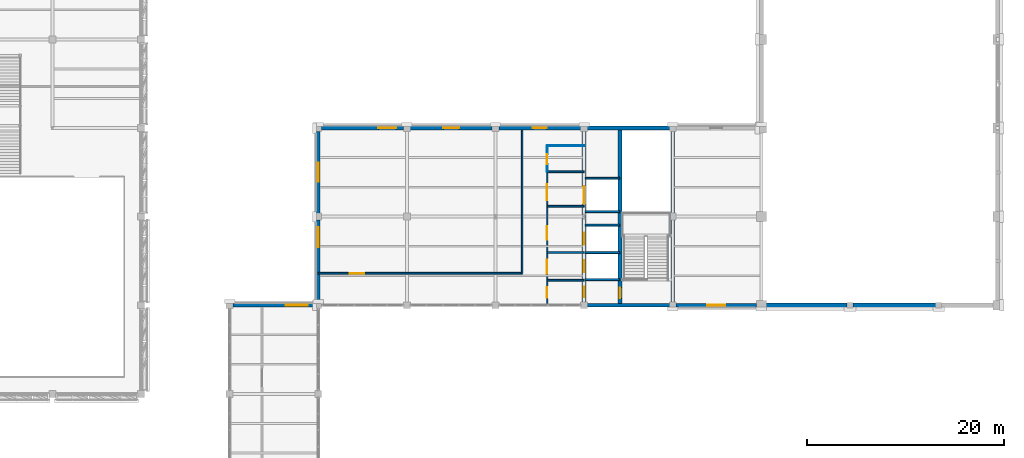
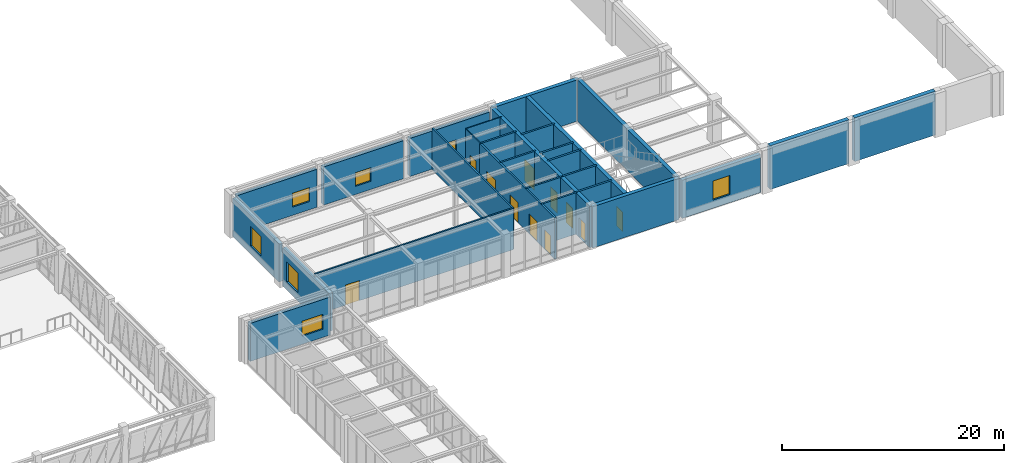
# One storey, part 85 of 92: 28 walls, 11 doors, 7 windows, 18 openings.
"""IFC4 building model written with IfcOpenShell, lengths in metres."""

from ifc_helpers import new_model, si_unit, direction, frame, frame_2d, origin, place, context, subcontext, project, spatial, rectangle, extrude, material, layer, layer_set, type_object, element, fill, save


model = new_model("IFC4")

# Units and contexts
model_context = context("Model", 3, precision=1e-05, world=origin(), true_north=direction((0.0, 1.0)))
body_context = subcontext(model_context, "Body", "Model", "MODEL_VIEW")
ifc_project = project(units=[si_unit("LENGTHUNIT", "METRE"), si_unit("AREAUNIT", "SQUARE_METRE"), si_unit("VOLUMEUNIT", "CUBIC_METRE"), si_unit("PLANEANGLEUNIT", "RADIAN"), si_unit("MASSUNIT", "GRAM", prefix="KILO")], contexts=[model_context])

# Site, building, storey
site_placement = place(None, origin())
site = spatial("IfcSite", under=ifc_project, at=site_placement, CompositionType="ELEMENT")
building_placement = place(site_placement, origin())
building = spatial("IfcBuilding", under=site, at=building_placement, Name="Lykobir Media Centre", CompositionType="ELEMENT")
storey_placement = place(building_placement, frame((0.0, 0.0, 5.39990234375)))
storey = spatial("IfcBuildingStorey", under=building, at=storey_placement, Name="L01", CompositionType="ELEMENT", Elevation=5.39990234375)

# Walls
ifc_material_1 = material(Name="Concrete C35/45", Category="concrete")
ifc_layer_1 = layer(ifc_material_1, 0.4599609375, Name="Concrete C35/45")
ifc_layer_set_1 = layer_set([ifc_layer_1], Name="Concrete C35/45")
wall_type_1 = type_object("IfcWallType", Name="EW-ACO-460", PredefinedType="STANDARD", material=ifc_layer_set_1)
wall_1_placement = place(storey_placement, frame((144.485107421875, 72.0, 0.0), z_axis=(0.0, 0.0, 1.0), x_axis=(1.0, 0.0, 0.0)))
element("IfcWall", 1, at=wall_1_placement, inside=storey, type_object=wall_type_1, Name="Exterior wall WALL-L01-0155", PredefinedType="STANDARD", context=body_context, shape_type="SweptSolid", body=[
    extrude(rectangle(XDim=8.22998046875, YDim=0.4599609375, at=frame_2d((4.114990234375, 0.0))), origin(), (0.0, 0.0, 1.0), 4.800048828125),
])
wall_2_placement = place(storey_placement, frame((153.284912109375, 72.0, 0.0), z_axis=(0.0, 0.0, 1.0), x_axis=(1.0, 0.0, 0.0)))
element("IfcWall", 2, at=wall_2_placement, inside=storey, type_object=wall_type_1, Name="Exterior wall WALL-L01-0156", PredefinedType="STANDARD", context=body_context, shape_type="SweptSolid", body=[
    extrude(rectangle(XDim=8.43017578125, YDim=0.4599609375, at=frame_2d((4.215087890625, 0.0))), origin(), (0.0, 0.0, 1.0), 4.800048828125),
])

# Wall, opening, window
ifc_material_2 = material(Name="Honed Travertine Stone", Category="masonry")
ifc_layer_2 = layer(ifc_material_2, 0.389892578125, Name="Honed Travertine Stone")
ifc_layer_set_2 = layer_set([ifc_layer_2], Name="Honed Travertine Stone")
wall_type_2 = type_object("IfcWallType", Name="EW-TRAV-390", PredefinedType="STANDARD", material=ifc_layer_set_2)
wall_3_placement = place(storey_placement, frame((98.6650390625, 72.0, 0.0), z_axis=(0.0, 0.0, 1.0), x_axis=(-1.0, 0.0, 0.0)))
wall_3 = element("IfcWall", 3, at=wall_3_placement, inside=storey, type_object=wall_type_2, Name="Exterior wall WALL-L01-0137", PredefinedType="STANDARD", context=body_context, shape_type="SweptSolid", body=[
    extrude(rectangle(XDim=8.330078125, YDim=0.389892578125, at=frame_2d((4.1650390625, 0.0))), origin(), (0.0, 0.0, 1.0), 4.195068359375),
])
opening_1_placement = place(wall_3_placement, frame((0.75, 0.0, 0.89990234375)))
opening_1 = element("IfcOpeningElement", 4, at=opening_1_placement, cuts=wall_3, Name="Opening WN-2200x1650", PredefinedType="OPENING", context=body_context, shape_type="SweptSolid", body=[
    extrude(rectangle(XDim=2.199951171875, YDim=1.64990234375, at=frame_2d((1.10009765625, 0.824951171875))), frame((0.0, 0.204833984375, 0.0), z_axis=(0.0, -1.0, 0.0), x_axis=(1.0, 0.0, 0.0)), (0.0, 0.0, 1.0), 0.409912109375),
])
ifc_material_3 = material(Name="Low-E Laminated Triple Glazing", Category="glass")
window_type_1 = type_object("IfcWindowType", Name="WN-2200x1650", PartitioningType="SINGLE_PANEL", PredefinedType="WINDOW", material=ifc_material_3)
window_1_placement = place(opening_1_placement, origin())
window_1 = element("IfcWindow", 5, at=window_1_placement, inside=storey, type_object=window_type_1, Name="Window WIN-L01-0035", OverallHeight=1.64990234375, OverallWidth=2.199951171875, PartitioningType="SINGLE_PANEL", PredefinedType="WINDOW", context=body_context, shape_type="SweptSolid", body=[
    extrude(rectangle(XDim=2.199951171875, YDim=1.64990234375, at=frame_2d((1.10009765625, 0.824951171875))), frame((0.0, 0.030029296875, 0.0), z_axis=(0.0, -1.0, 0.0), x_axis=(1.0, 0.0, 0.0)), (0.0, 0.0, 1.0), 0.06005859375),
])
fill(opening_1, window_1)

wall_4_placement = place(storey_placement, frame((99.0, 80.6650390625, 0.0), z_axis=(0.0, 0.0, 1.0), x_axis=(0.0, -1.0, 0.0)))
wall_4 = element("IfcWall", 6, at=wall_4_placement, inside=storey, type_object=wall_type_2, Name="Exterior wall WALL-L01-0152", PredefinedType="STANDARD", context=body_context, shape_type="SweptSolid", body=[
    extrude(rectangle(XDim=8.330078125, YDim=0.389892578125, at=frame_2d((4.1650390625, 0.0))), origin(), (0.0, 0.0, 1.0), 4.195068359375),
])
opening_2_placement = place(wall_4_placement, frame((0.75, 0.0, 0.89990234375)))
opening_2 = element("IfcOpeningElement", 7, at=opening_2_placement, cuts=wall_4, Name="Opening WN-2000x2200", PredefinedType="OPENING", context=body_context, shape_type="SweptSolid", body=[
    extrude(rectangle(XDim=2.0, YDim=2.199951171875, at=frame_2d((1.0, 1.10009765625))), frame((0.0, 0.204833984375, 0.0), z_axis=(0.0, -1.0, 0.0), x_axis=(1.0, 0.0, 0.0)), (0.0, 0.0, 1.0), 0.409912109375),
])
window_type_2 = type_object("IfcWindowType", Name="WN-2000x2200", PartitioningType="SINGLE_PANEL", PredefinedType="WINDOW", material=ifc_material_3)
window_2_placement = place(opening_2_placement, origin())
window_2 = element("IfcWindow", 8, at=window_2_placement, inside=storey, type_object=window_type_2, Name="Window WIN-L01-0041", OverallHeight=2.199951171875, OverallWidth=2.0, PartitioningType="SINGLE_PANEL", PredefinedType="WINDOW", context=body_context, shape_type="SweptSolid", body=[
    extrude(rectangle(XDim=2.0, YDim=2.199951171875, at=frame_2d((1.0, 1.10009765625))), frame((0.0, 0.030029296875, 0.0), z_axis=(0.0, -1.0, 0.0), x_axis=(1.0, 0.0, 0.0)), (0.0, 0.0, 1.0), 0.06005859375),
])
fill(opening_2, window_2)

wall_5_placement = place(storey_placement, frame((99.0, 89.6650390625, 0.0), z_axis=(0.0, 0.0, 1.0), x_axis=(0.0, -1.0, 0.0)))
wall_5 = element("IfcWall", 9, at=wall_5_placement, inside=storey, type_object=wall_type_2, Name="Exterior wall WALL-L01-0153", PredefinedType="STANDARD", context=body_context, shape_type="SweptSolid", body=[
    extrude(rectangle(XDim=8.330078125, YDim=0.389892578125, at=frame_2d((4.1650390625, 0.0))), origin(), (0.0, 0.0, 1.0), 4.195068359375),
])
opening_3_placement = place(wall_5_placement, frame((3.215087890625, 0.0, 0.89990234375)))
opening_3 = element("IfcOpeningElement", 10, at=opening_3_placement, cuts=wall_5, Name="Opening WN-1900x2150", PredefinedType="OPENING", context=body_context, shape_type="SweptSolid", body=[
    extrude(rectangle(XDim=1.89990234375, YDim=2.14990234375, at=frame_2d((0.949951171875, 1.074951171875))), frame((0.0, 0.204833984375, 0.0), z_axis=(0.0, -1.0, 0.0), x_axis=(1.0, 0.0, 0.0)), (0.0, 0.0, 1.0), 0.409912109375),
])
window_type_3 = type_object("IfcWindowType", Name="WN-1900x2150", PartitioningType="SINGLE_PANEL", PredefinedType="WINDOW", material=ifc_material_3)
window_3_placement = place(opening_3_placement, origin())
window_3 = element("IfcWindow", 11, at=window_3_placement, inside=storey, type_object=window_type_3, Name="Window WIN-L01-0042", OverallHeight=2.14990234375, OverallWidth=1.89990234375, PartitioningType="SINGLE_PANEL", PredefinedType="WINDOW", context=body_context, shape_type="SweptSolid", body=[
    extrude(rectangle(XDim=1.89990234375, YDim=2.14990234375, at=frame_2d((0.949951171875, 1.074951171875))), frame((0.0, 0.030029296875, 0.0), z_axis=(0.0, -1.0, 0.0), x_axis=(1.0, 0.0, 0.0)), (0.0, 0.0, 1.0), 0.06005859375),
])
fill(opening_3, window_3)

wall_6_placement = place(storey_placement, frame((135.3349609375, 72.0, 0.0), z_axis=(0.0, 0.0, 1.0), x_axis=(1.0, 0.0, 0.0)))
wall_6 = element("IfcWall", 12, at=wall_6_placement, inside=storey, type_object=wall_type_2, Name="Exterior wall WALL-L01-0154", PredefinedType="STANDARD", context=body_context, shape_type="SweptSolid", body=[
    extrude(rectangle(XDim=8.179931640625, YDim=0.389892578125, at=frame_2d((4.08984375, 0.0))), origin(), (0.0, 0.0, 1.0), 4.195068359375),
])
opening_4_placement = place(wall_6_placement, frame((3.18994140625, 0.0, 0.89990234375)))
opening_4 = element("IfcOpeningElement", 13, at=opening_4_placement, cuts=wall_6, Name="Opening WN-1800x2100", PredefinedType="OPENING", context=body_context, shape_type="SweptSolid", body=[
    extrude(rectangle(XDim=1.800048828125, YDim=2.10009765625, at=frame_2d((0.89990234375, 1.050048828125))), frame((0.0, 0.204833984375, 0.0), z_axis=(0.0, -1.0, 0.0), x_axis=(1.0, 0.0, 0.0)), (0.0, 0.0, 1.0), 0.409912109375),
])
window_type_4 = type_object("IfcWindowType", Name="WN-1800x2100", PartitioningType="SINGLE_PANEL", PredefinedType="WINDOW", material=ifc_material_3)
window_4_placement = place(opening_4_placement, origin())
window_4 = element("IfcWindow", 14, at=window_4_placement, inside=storey, type_object=window_type_4, Name="Window WIN-L01-0043", OverallHeight=2.10009765625, OverallWidth=1.800048828125, PartitioningType="SINGLE_PANEL", PredefinedType="WINDOW", context=body_context, shape_type="SweptSolid", body=[
    extrude(rectangle(XDim=1.800048828125, YDim=2.10009765625, at=frame_2d((0.89990234375, 1.050048828125))), frame((0.0, 0.030029296875, 0.0), z_axis=(0.0, -1.0, 0.0), x_axis=(1.0, 0.0, 0.0)), (0.0, 0.0, 1.0), 0.06005859375),
])
fill(opening_4, window_4)

wall_7_placement = place(storey_placement, frame((107.6650390625, 90.0, 0.0), z_axis=(0.0, 0.0, 1.0), x_axis=(-1.0, 0.0, 0.0)))
wall_7 = element("IfcWall", 15, at=wall_7_placement, inside=storey, type_object=wall_type_2, Name="Exterior wall WALL-L01-0169", PredefinedType="STANDARD", context=body_context, shape_type="SweptSolid", body=[
    extrude(rectangle(XDim=8.330078125, YDim=0.389892578125, at=frame_2d((4.1650390625, 0.0))), origin(), (0.0, 0.0, 1.0), 4.195068359375),
])
opening_5_placement = place(wall_7_placement, frame((0.75, 0.0, 0.89990234375)))
opening_5 = element("IfcOpeningElement", 16, at=opening_5_placement, cuts=wall_7, Name="Opening WN-1800x1550", PredefinedType="OPENING", context=body_context, shape_type="SweptSolid", body=[
    extrude(rectangle(XDim=1.800048828125, YDim=1.550048828125, at=frame_2d((0.89990234375, 0.77490234375))), frame((0.0, 0.204833984375, 0.0), z_axis=(0.0, -1.0, 0.0), x_axis=(1.0, 0.0, 0.0)), (0.0, 0.0, 1.0), 0.409912109375),
])
window_type_5 = type_object("IfcWindowType", Name="WN-1800x1550", PartitioningType="SINGLE_PANEL", PredefinedType="WINDOW", material=ifc_material_3)
window_5_placement = place(opening_5_placement, origin())
window_5 = element("IfcWindow", 17, at=window_5_placement, inside=storey, type_object=window_type_5, Name="Window WIN-L01-0044", OverallHeight=1.550048828125, OverallWidth=1.800048828125, PartitioningType="SINGLE_PANEL", PredefinedType="WINDOW", context=body_context, shape_type="SweptSolid", body=[
    extrude(rectangle(XDim=1.800048828125, YDim=1.550048828125, at=frame_2d((0.89990234375, 0.77490234375))), frame((0.0, 0.030029296875, 0.0), z_axis=(0.0, -1.0, 0.0), x_axis=(1.0, 0.0, 0.0)), (0.0, 0.0, 1.0), 0.06005859375),
])
fill(opening_5, window_5)

wall_8_placement = place(storey_placement, frame((116.6650390625, 90.0, 0.0), z_axis=(0.0, 0.0, 1.0), x_axis=(-1.0, 0.0, 0.0)))
wall_8 = element("IfcWall", 18, at=wall_8_placement, inside=storey, type_object=wall_type_2, Name="Exterior wall WALL-L01-0170", PredefinedType="STANDARD", context=body_context, shape_type="SweptSolid", body=[
    extrude(rectangle(XDim=8.330078125, YDim=0.389892578125, at=frame_2d((4.1650390625, 0.0))), origin(), (0.0, 0.0, 1.0), 4.195068359375),
])
opening_6_placement = place(wall_8_placement, frame((3.364990234375, 0.0, 0.89990234375)))
opening_6 = element("IfcOpeningElement", 19, at=opening_6_placement, cuts=wall_8, Name="Opening WN-1600x1500", PredefinedType="OPENING", context=body_context, shape_type="SweptSolid", body=[
    extrude(rectangle(XDim=1.60009765625, YDim=1.5, at=frame_2d((0.800048828125, 0.75))), frame((0.0, 0.204833984375, 0.0), z_axis=(0.0, -1.0, 0.0), x_axis=(1.0, 0.0, 0.0)), (0.0, 0.0, 1.0), 0.409912109375),
])
window_type_6 = type_object("IfcWindowType", Name="WN-1600x1500", PartitioningType="SINGLE_PANEL", PredefinedType="WINDOW", material=ifc_material_3)
window_6_placement = place(opening_6_placement, origin())
window_6 = element("IfcWindow", 20, at=window_6_placement, inside=storey, type_object=window_type_6, Name="Window WIN-L01-0045", OverallHeight=1.5, OverallWidth=1.60009765625, PartitioningType="SINGLE_PANEL", PredefinedType="WINDOW", context=body_context, shape_type="SweptSolid", body=[
    extrude(rectangle(XDim=1.60009765625, YDim=1.5, at=frame_2d((0.800048828125, 0.75))), frame((0.0, 0.030029296875, 0.0), z_axis=(0.0, -1.0, 0.0), x_axis=(1.0, 0.0, 0.0)), (0.0, 0.0, 1.0), 0.06005859375),
])
fill(opening_6, window_6)

wall_9_placement = place(storey_placement, frame((125.6650390625, 90.0, 0.0), z_axis=(0.0, 0.0, 1.0), x_axis=(-1.0, 0.0, 0.0)))
wall_9 = element("IfcWall", 21, at=wall_9_placement, inside=storey, type_object=wall_type_2, Name="Exterior wall WALL-L01-0171", PredefinedType="STANDARD", context=body_context, shape_type="SweptSolid", body=[
    extrude(rectangle(XDim=8.330078125, YDim=0.389892578125, at=frame_2d((4.1650390625, 0.0))), origin(), (0.0, 0.0, 1.0), 4.195068359375),
])
opening_7_placement = place(wall_9_placement, frame((3.465087890625, 0.0, 0.89990234375)))
opening_7 = element("IfcOpeningElement", 22, at=opening_7_placement, cuts=wall_9, Name="Opening WN-1400x1450", PredefinedType="OPENING", context=body_context, shape_type="SweptSolid", body=[
    extrude(rectangle(XDim=1.39990234375, YDim=1.449951171875, at=frame_2d((0.699951171875, 0.72509765625))), frame((0.0, 0.204833984375, 0.0), z_axis=(0.0, -1.0, 0.0), x_axis=(1.0, 0.0, 0.0)), (0.0, 0.0, 1.0), 0.409912109375),
])
window_type_7 = type_object("IfcWindowType", Name="WN-1400x1450", PartitioningType="SINGLE_PANEL", PredefinedType="WINDOW", material=ifc_material_3)
window_7_placement = place(opening_7_placement, origin())
window_7 = element("IfcWindow", 23, at=window_7_placement, inside=storey, type_object=window_type_7, Name="Window WIN-L01-0046", OverallHeight=1.449951171875, OverallWidth=1.39990234375, PartitioningType="SINGLE_PANEL", PredefinedType="WINDOW", context=body_context, shape_type="SweptSolid", body=[
    extrude(rectangle(XDim=1.39990234375, YDim=1.449951171875, at=frame_2d((0.699951171875, 0.72509765625))), frame((0.0, 0.030029296875, 0.0), z_axis=(0.0, -1.0, 0.0), x_axis=(1.0, 0.0, 0.0)), (0.0, 0.0, 1.0), 0.06005859375),
])
fill(opening_7, window_7)

# Wall, opening, door
ifc_material_4 = material(Name="Acoustic Gypsum Board", Category="gypsum")
ifc_layer_3 = layer(ifc_material_4, 0.159912109375, Name="Acoustic Gypsum Board")
ifc_layer_set_3 = layer_set([ifc_layer_3], Name="Acoustic Gypsum Board")
wall_type_3 = type_object("IfcWallType", Name="IW-COR-160", PredefinedType="PARTITIONING", material=ifc_layer_set_3)
wall_10_placement = place(storey_placement, frame((99.0, 75.25, 0.0), z_axis=(0.0, 0.0, 1.0), x_axis=(1.0, 0.0, 0.0)))
wall_10 = element("IfcWall", 24, at=wall_10_placement, inside=storey, type_object=wall_type_3, Name="Wall IWALL-L01-0694", PredefinedType="PARTITIONING", context=body_context, shape_type="SweptSolid", body=[
    extrude(rectangle(XDim=20.699951171875, YDim=0.159912109375, at=frame_2d((10.35009765625, 0.0))), origin(), (0.0, 0.0, 1.0), 4.56005859375),
])
opening_8_placement = place(wall_10_placement, frame((3.199951171875, 0.0, 0.0)))
opening_8 = element("IfcOpeningElement", 25, at=opening_8_placement, cuts=wall_10, Name="Opening D-L01-ENB1", PredefinedType="OPENING", context=body_context, shape_type="SweptSolid", body=[
    extrude(rectangle(XDim=1.449951171875, YDim=2.219970703125, at=frame_2d((0.72509765625, 1.10986328125))), frame((0.0, 0.08984375, 0.0), z_axis=(0.0, -1.0, 0.0), x_axis=(1.0, 0.0, 0.0)), (0.0, 0.0, 1.0), 0.179931640625),
])
ifc_material_5 = material(Name="Acoustic Timber Panelling", Category="wood")
door_type_1 = type_object("IfcDoorType", Name="FD-1450x2220", OperationType="NOTDEFINED", PredefinedType="DOOR", material=ifc_material_5)
door_1_placement = place(opening_8_placement, origin())
door_1 = element("IfcDoor", 26, at=door_1_placement, inside=storey, type_object=door_type_1, Name="Door D-L01-ENB1", OperationType="DOUBLE_DOOR_SINGLE_SWING", OverallHeight=2.219970703125, OverallWidth=1.449951171875, PredefinedType="DOOR", context=body_context, shape_type="SweptSolid", body=[
    extrude(rectangle(XDim=1.449951171875, YDim=2.219970703125, at=frame_2d((0.72509765625, 1.10986328125))), frame((0.0, 0.02490234375, 0.0), z_axis=(0.0, -1.0, 0.0), x_axis=(1.0, 0.0, 0.0)), (0.0, 0.0, 1.0), 0.050048828125),
])
fill(opening_8, door_1)

# Wall
wall_11_placement = place(storey_placement, frame((119.699951171875, 75.25, 0.0), z_axis=(0.0, 0.0, 1.0), x_axis=(0.0, 1.0, 0.0)))
element("IfcWall", 27, at=wall_11_placement, inside=storey, type_object=wall_type_3, Name="Wall IWALL-L01-0695", PredefinedType="PARTITIONING", context=body_context, shape_type="SweptSolid", body=[
    extrude(rectangle(XDim=14.530029296875, YDim=0.159912109375, at=frame_2d((7.26513671875, 0.0))), origin(), (0.0, 0.0, 1.0), 4.56005859375),
])

# Wall, openings, doors
ifc_layer_4 = layer(ifc_material_4, 0.179931640625, Name="Acoustic Gypsum Board")
ifc_layer_set_4 = layer_set([ifc_layer_4], Name="Acoustic Gypsum Board")
wall_type_4 = type_object("IfcWallType", Name="IW-FFLOB-180", PredefinedType="PARTITIONING", material=ifc_layer_set_4)
wall_12_placement = place(storey_placement, frame((122.25, 72.0, 0.0), z_axis=(0.0, 0.0, 1.0), x_axis=(0.0, 1.0, 0.0)))
wall_12 = element("IfcWall", 28, at=wall_12_placement, inside=storey, type_object=wall_type_4, Name="Wall IWALL-L01-0499", PredefinedType="PARTITIONING", context=body_context, shape_type="SweptSolid", body=[
    extrude(rectangle(XDim=13.550048828125, YDim=0.179931640625, at=frame_2d((6.77490234375, 0.0))), origin(), (0.0, 0.0, 1.0), 4.56005859375),
])
opening_9_placement = place(wall_12_placement, frame((0.75, 0.0, 0.0)))
opening_9 = element("IfcOpeningElement", 29, at=opening_9_placement, cuts=wall_12, Name="Opening D-L01-C4LV", PredefinedType="OPENING", context=body_context, shape_type="SweptSolid", body=[
    extrude(rectangle(XDim=1.10009765625, YDim=2.159912109375, at=frame_2d((0.550048828125, 1.080078125))), frame((0.0, 0.099853515625, 0.0), z_axis=(0.0, -1.0, 0.0), x_axis=(1.0, 0.0, 0.0)), (0.0, 0.0, 1.0), 0.199951171875),
])
opening_10_placement = place(wall_12_placement, frame((3.199951171875, 0.0, 0.0)))
opening_10 = element("IfcOpeningElement", 30, at=opening_10_placement, cuts=wall_12, Name="Opening D-L01-C4PL", PredefinedType="OPENING", context=body_context, shape_type="SweptSolid", body=[
    extrude(rectangle(XDim=1.39990234375, YDim=2.199951171875, at=frame_2d((0.699951171875, 1.10009765625))), frame((0.0, 0.099853515625, 0.0), z_axis=(0.0, -1.0, 0.0), x_axis=(1.0, 0.0, 0.0)), (0.0, 0.0, 1.0), 0.199951171875),
])
opening_11_placement = place(wall_12_placement, frame((6.64990234375, 0.0, 0.0)))
opening_11 = element("IfcOpeningElement", 31, at=opening_11_placement, cuts=wall_12, Name="Opening D-L01-C4FF", PredefinedType="OPENING", context=body_context, shape_type="SweptSolid", body=[
    extrude(rectangle(XDim=1.39990234375, YDim=2.199951171875, at=frame_2d((0.699951171875, 1.10009765625))), frame((0.0, 0.099853515625, 0.0), z_axis=(0.0, -1.0, 0.0), x_axis=(1.0, 0.0, 0.0)), (0.0, 0.0, 1.0), 0.199951171875),
])
opening_12_placement = place(wall_12_placement, frame((10.64990234375, 0.0, 0.0)))
opening_12 = element("IfcOpeningElement", 32, at=opening_12_placement, cuts=wall_12, Name="Opening D-L01-C4GL", PredefinedType="OPENING", context=body_context, shape_type="SweptSolid", body=[
    extrude(rectangle(XDim=1.64990234375, YDim=2.25, at=frame_2d((0.824951171875, 1.125))), frame((0.0, 0.099853515625, 0.0), z_axis=(0.0, -1.0, 0.0), x_axis=(1.0, 0.0, 0.0)), (0.0, 0.0, 1.0), 0.199951171875),
])
door_type_2 = type_object("IfcDoorType", Name="FD-1100x2160", OperationType="NOTDEFINED", PredefinedType="DOOR", material=ifc_material_5)
door_2_placement = place(opening_9_placement, origin())
door_2 = element("IfcDoor", 33, at=door_2_placement, inside=storey, type_object=door_type_2, Name="Door D-L01-C4LV", OperationType="SINGLE_SWING_LEFT", OverallHeight=2.159912109375, OverallWidth=1.10009765625, PredefinedType="DOOR", context=body_context, shape_type="SweptSolid", body=[
    extrude(rectangle(XDim=1.10009765625, YDim=2.159912109375, at=frame_2d((0.550048828125, 1.080078125))), frame((0.0, 0.02490234375, 0.0), z_axis=(0.0, -1.0, 0.0), x_axis=(1.0, 0.0, 0.0)), (0.0, 0.0, 1.0), 0.050048828125),
])
fill(opening_9, door_2)
door_type_3 = type_object("IfcDoorType", Name="FD-1400x2200", OperationType="NOTDEFINED", PredefinedType="DOOR", material=ifc_material_5)
door_3_placement = place(opening_10_placement, origin())
door_3 = element("IfcDoor", 34, at=door_3_placement, inside=storey, type_object=door_type_3, Name="Door D-L01-C4PL", OperationType="DOUBLE_DOOR_SINGLE_SWING", OverallHeight=2.199951171875, OverallWidth=1.39990234375, PredefinedType="DOOR", context=body_context, shape_type="SweptSolid", body=[
    extrude(rectangle(XDim=1.39990234375, YDim=2.199951171875, at=frame_2d((0.699951171875, 1.10009765625))), frame((0.0, 0.02490234375, 0.0), z_axis=(0.0, -1.0, 0.0), x_axis=(1.0, 0.0, 0.0)), (0.0, 0.0, 1.0), 0.050048828125),
])
fill(opening_10, door_3)
door_4_placement = place(opening_11_placement, origin())
door_4 = element("IfcDoor", 35, at=door_4_placement, inside=storey, type_object=door_type_3, Name="Door D-L01-C4FF", OperationType="DOUBLE_DOOR_SINGLE_SWING", OverallHeight=2.199951171875, OverallWidth=1.39990234375, PredefinedType="DOOR", context=body_context, shape_type="SweptSolid", body=[
    extrude(rectangle(XDim=1.39990234375, YDim=2.199951171875, at=frame_2d((0.699951171875, 1.10009765625))), frame((0.0, 0.02490234375, 0.0), z_axis=(0.0, -1.0, 0.0), x_axis=(1.0, 0.0, 0.0)), (0.0, 0.0, 1.0), 0.050048828125),
])
fill(opening_11, door_4)
door_type_4 = type_object("IfcDoorType", Name="FD-1650x2250", OperationType="NOTDEFINED", PredefinedType="DOOR", material=ifc_material_5)
door_5_placement = place(opening_12_placement, origin())
door_5 = element("IfcDoor", 36, at=door_5_placement, inside=storey, type_object=door_type_4, Name="Door D-L01-C4GL", OperationType="DOUBLE_DOOR_SINGLE_SWING", OverallHeight=2.25, OverallWidth=1.64990234375, PredefinedType="DOOR", context=body_context, shape_type="SweptSolid", body=[
    extrude(rectangle(XDim=1.64990234375, YDim=2.25, at=frame_2d((0.824951171875, 1.125))), frame((0.0, 0.02490234375, 0.0), z_axis=(0.0, -1.0, 0.0), x_axis=(1.0, 0.0, 0.0)), (0.0, 0.0, 1.0), 0.050048828125),
])
fill(opening_12, door_5)

# Walls
for number, where, z_axis, x_axis, name in (
    (37, (122.25, 74.550048828125, 0.0), (0.0, 0.0, 1.0), (1.0, 0.0, 0.0), "Wall IWALL-L01-0500"),
    (38, (122.25, 77.35009765625, 0.0), (0.0, 0.0, 1.0), (1.0, 0.0, 0.0), "Wall IWALL-L01-0501"),
    (39, (122.25, 82.050048828125, 0.0), (0.0, 0.0, 1.0), (1.0, 0.0, 0.0), "Wall IWALL-L01-0502"),
    (40, (122.25, 85.550048828125, 0.0), (0.0, 0.0, 1.0), (1.0, 0.0, 0.0), "Wall IWALL-L01-0503"),
):
    element("IfcWall", number, at=place(storey_placement, frame(where, z_axis=z_axis, x_axis=x_axis)), inside=storey, type_object=wall_type_4, Name=name, PredefinedType="PARTITIONING", context=body_context, shape_type="SweptSolid", body=[
        extrude(rectangle(XDim=3.75, YDim=0.179931640625, at=frame_2d((1.875, 0.0))), origin(), (0.0, 0.0, 1.0), 4.56005859375),
    ])
ifc_material_6 = material(Name="Concrete C30/37", Category="concrete")
ifc_layer_5 = layer(ifc_material_6, 0.199951171875, Name="Concrete C30/37")
ifc_layer_set_5 = layer_set([ifc_layer_5], Name="Concrete C30/37")
wall_type_5 = type_object("IfcWallType", Name="IW-SHAFT-200", PredefinedType="PARTITIONING", material=ifc_layer_set_5)
for number, where, z_axis, x_axis, name in (
    (41, (126.10009765625, 74.60009765625, 0.0), (0.0, 0.0, 1.0), (1.0, 0.0, 0.0), "Wall IWALL-L01-0494"),
    (42, (126.10009765625, 77.35009765625, 0.0), (0.0, 0.0, 1.0), (1.0, 0.0, 0.0), "Wall IWALL-L01-0495"),
    (43, (126.10009765625, 80.14990234375, 0.0), (0.0, 0.0, 1.0), (1.0, 0.0, 0.0), "Wall IWALL-L01-0496"),
    (44, (126.10009765625, 81.5, 0.0), (0.0, 0.0, 1.0), (1.0, 0.0, 0.0), "Wall IWALL-L01-0497"),
    (45, (126.10009765625, 84.89990234375, 0.0), (0.0, 0.0, 1.0), (1.0, 0.0, 0.0), "Wall IWALL-L01-0498"),
):
    element("IfcWall", number, at=place(storey_placement, frame(where, z_axis=z_axis, x_axis=x_axis)), inside=storey, type_object=wall_type_5, Name=name, PredefinedType="PARTITIONING", context=body_context, shape_type="SweptSolid", body=[
        extrude(rectangle(XDim=3.5, YDim=0.199951171875, at=frame_2d((1.75, 0.0))), origin(), (0.0, 0.0, 1.0), 4.56005859375),
    ])

# Wall, opening, door
ifc_layer_6 = layer(ifc_material_4, 0.094970703125, Name="Acoustic Gypsum Board")
ifc_layer_set_6 = layer_set([ifc_layer_6], Name="Acoustic Gypsum Board")
wall_type_6 = type_object("IfcWallType", Name="IW-WC-095", PredefinedType="PARTITIONING", material=ifc_layer_set_6)
wall_13_placement = place(storey_placement, frame((122.25, 85.550048828125, 0.0), z_axis=(0.0, 0.0, 1.0), x_axis=(0.0, 1.0, 0.0)))
wall_13 = element("IfcWall", 46, at=wall_13_placement, inside=storey, type_object=wall_type_6, Name="Wall IWALL-L01-0504", PredefinedType="PARTITIONING", context=body_context, shape_type="SweptSolid", body=[
    extrude(rectangle(XDim=2.64990234375, YDim=0.094970703125, at=frame_2d((1.324951171875, 0.0))), origin(), (0.0, 0.0, 1.0), 4.56005859375),
])
opening_13_placement = place(wall_13_placement, frame((0.75, 0.0, 0.0)))
opening_13 = element("IfcOpeningElement", 47, at=opening_13_placement, cuts=wall_13, Name="Opening D-L01-WCA4", PredefinedType="OPENING", context=body_context, shape_type="SweptSolid", body=[
    extrude(rectangle(XDim=1.050048828125, YDim=2.1298828125, at=frame_2d((0.52490234375, 1.06494140625))), frame((0.0, 0.057373046875, 0.0), z_axis=(0.0, -1.0, 0.0), x_axis=(1.0, 0.0, 0.0)), (0.0, 0.0, 1.0), 0.114990234375),
])
door_type_5 = type_object("IfcDoorType", Name="ID-1050x2130", OperationType="NOTDEFINED", PredefinedType="DOOR", material=ifc_material_5)
door_6_placement = place(opening_13_placement, origin())
door_6 = element("IfcDoor", 48, at=door_6_placement, inside=storey, type_object=door_type_5, Name="Door D-L01-WCA4", OperationType="SINGLE_SWING_RIGHT", OverallHeight=2.1298828125, OverallWidth=1.050048828125, PredefinedType="DOOR", context=body_context, shape_type="SweptSolid", body=[
    extrude(rectangle(XDim=1.050048828125, YDim=2.1298828125, at=frame_2d((0.52490234375, 1.06494140625))), frame((0.0, 0.02490234375, 0.0), z_axis=(0.0, -1.0, 0.0), x_axis=(1.0, 0.0, 0.0)), (0.0, 0.0, 1.0), 0.050048828125),
])
fill(opening_13, door_6)

# Wall
wall_14_placement = place(storey_placement, frame((122.25, 88.199951171875, 0.0), z_axis=(0.0, 0.0, 1.0), x_axis=(1.0, 0.0, 0.0)))
element("IfcWall", 49, at=wall_14_placement, inside=storey, type_object=wall_type_6, Name="Wall IWALL-L01-0505", PredefinedType="PARTITIONING", context=body_context, shape_type="SweptSolid", body=[
    extrude(rectangle(XDim=3.75, YDim=0.094970703125, at=frame_2d((1.875, 0.0))), origin(), (0.0, 0.0, 1.0), 4.56005859375),
])

# Wall, openings, doors
ifc_material_7 = material(Name="Concrete C40/50", Category="concrete")
ifc_layer_7 = layer(ifc_material_7, 0.39990234375, Name="Concrete C40/50")
ifc_layer_set_7 = layer_set([ifc_layer_7], Name="Concrete C40/50")
wall_type_7 = type_object("IfcWallType", Name="SW-CORE-400", PredefinedType="SHEAR", material=ifc_layer_set_7)
wall_15_placement = place(storey_placement, frame((126.0, 90.0, 0.0), z_axis=(0.0, 0.0, 1.0), x_axis=(0.0, -1.0, 0.0)))
wall_15 = element("IfcWall", 50, at=wall_15_placement, inside=storey, type_object=wall_type_7, Name="Wall IWALL-L01-0492", PredefinedType="SHEAR", context=body_context, shape_type="SweptSolid", body=[
    extrude(rectangle(XDim=18.0, YDim=0.39990234375, at=frame_2d((9.0, 0.0))), origin(), (0.0, 0.0, 1.0), 4.56005859375),
])
opening_14_placement = place(wall_15_placement, frame((16.10009765625, 0.0, 0.0)))
opening_14 = element("IfcOpeningElement", 51, at=opening_14_placement, cuts=wall_15, Name="Opening D-L01-C4VB", PredefinedType="OPENING", context=body_context, shape_type="SweptSolid", body=[
    extrude(rectangle(XDim=1.10009765625, YDim=2.159912109375, at=frame_2d((0.550048828125, 1.080078125))), frame((0.0, 0.2099609375, 0.0), z_axis=(0.0, -1.0, 0.0), x_axis=(1.0, 0.0, 0.0)), (0.0, 0.0, 1.0), 0.419921875),
])
opening_15_placement = place(wall_15_placement, frame((13.449951171875, 0.0, 0.0)))
opening_15 = element("IfcOpeningElement", 52, at=opening_15_placement, cuts=wall_15, Name="Opening LD-L01-PL-4", PredefinedType="OPENING", context=body_context, shape_type="SweptSolid", body=[
    extrude(rectangle(XDim=1.199951171875, YDim=2.199951171875, at=frame_2d((0.60009765625, 1.10009765625))), frame((0.0, 0.2099609375, 0.0), z_axis=(0.0, -1.0, 0.0), x_axis=(1.0, 0.0, 0.0)), (0.0, 0.0, 1.0), 0.419921875),
])
opening_16_placement = place(wall_15_placement, frame((10.64990234375, 0.0, 0.0)))
opening_16 = element("IfcOpeningElement", 53, at=opening_16_placement, cuts=wall_15, Name="Opening LD-L01-FL-3", PredefinedType="OPENING", context=body_context, shape_type="SweptSolid", body=[
    extrude(rectangle(XDim=1.199951171875, YDim=2.199951171875, at=frame_2d((0.60009765625, 1.10009765625))), frame((0.0, 0.2099609375, 0.0), z_axis=(0.0, -1.0, 0.0), x_axis=(1.0, 0.0, 0.0)), (0.0, 0.0, 1.0), 0.419921875),
])
opening_17_placement = place(wall_15_placement, frame((5.89990234375, 0.0, 0.0)))
opening_17 = element("IfcOpeningElement", 54, at=opening_17_placement, cuts=wall_15, Name="Opening LD-L01-GL-1", PredefinedType="OPENING", context=body_context, shape_type="SweptSolid", body=[
    extrude(rectangle(XDim=1.800048828125, YDim=2.35009765625, at=frame_2d((0.89990234375, 1.175048828125))), frame((0.0, 0.2099609375, 0.0), z_axis=(0.0, -1.0, 0.0), x_axis=(1.0, 0.0, 0.0)), (0.0, 0.0, 1.0), 0.419921875),
])
door_7_placement = place(opening_14_placement, origin())
door_7 = element("IfcDoor", 55, at=door_7_placement, inside=storey, type_object=door_type_2, Name="Door D-L01-C4VB", OperationType="SINGLE_SWING_RIGHT", OverallHeight=2.159912109375, OverallWidth=1.10009765625, PredefinedType="DOOR", context=body_context, shape_type="SweptSolid", body=[
    extrude(rectangle(XDim=1.10009765625, YDim=2.159912109375, at=frame_2d((0.550048828125, 1.080078125))), frame((0.0, 0.02490234375, 0.0), z_axis=(0.0, -1.0, 0.0), x_axis=(1.0, 0.0, 0.0)), (0.0, 0.0, 1.0), 0.050048828125),
])
fill(opening_14, door_7)
ifc_material_8 = material(Name="Anodized Aluminium AW-6060", Category="aluminium")
door_type_6 = type_object("IfcDoorType", Name="LD-1200x2200", OperationType="NOTDEFINED", PredefinedType="DOOR", material=ifc_material_8)
door_8_placement = place(opening_15_placement, origin())
door_8 = element("IfcDoor", 56, at=door_8_placement, inside=storey, type_object=door_type_6, Name="Lift landing door PL-4 L01", OperationType="SLIDING_TO_LEFT", OverallHeight=2.199951171875, OverallWidth=1.199951171875, PredefinedType="DOOR", context=body_context, shape_type="SweptSolid", body=[
    extrude(rectangle(XDim=1.199951171875, YDim=2.199951171875, at=frame_2d((0.60009765625, 1.10009765625))), frame((0.0, 0.02490234375, 0.0), z_axis=(0.0, -1.0, 0.0), x_axis=(1.0, 0.0, 0.0)), (0.0, 0.0, 1.0), 0.050048828125),
])
fill(opening_15, door_8)
door_9_placement = place(opening_16_placement, origin())
door_9 = element("IfcDoor", 57, at=door_9_placement, inside=storey, type_object=door_type_6, Name="Firefighting lift landing door FL-3 L01", OperationType="SLIDING_TO_LEFT", OverallHeight=2.199951171875, OverallWidth=1.199951171875, PredefinedType="DOOR", context=body_context, shape_type="SweptSolid", body=[
    extrude(rectangle(XDim=1.199951171875, YDim=2.199951171875, at=frame_2d((0.60009765625, 1.10009765625))), frame((0.0, 0.02490234375, 0.0), z_axis=(0.0, -1.0, 0.0), x_axis=(1.0, 0.0, 0.0)), (0.0, 0.0, 1.0), 0.050048828125),
])
fill(opening_16, door_9)
door_type_7 = type_object("IfcDoorType", Name="LD-1800x2350", OperationType="NOTDEFINED", PredefinedType="DOOR", material=ifc_material_8)
door_10_placement = place(opening_17_placement, origin())
door_10 = element("IfcDoor", 58, at=door_10_placement, inside=storey, type_object=door_type_7, Name="Goods lift landing door GL-1 L01", OperationType="DOUBLE_DOOR_SLIDING", OverallHeight=2.35009765625, OverallWidth=1.800048828125, PredefinedType="DOOR", context=body_context, shape_type="SweptSolid", body=[
    extrude(rectangle(XDim=1.800048828125, YDim=2.35009765625, at=frame_2d((0.89990234375, 1.175048828125))), frame((0.0, 0.02490234375, 0.0), z_axis=(0.0, -1.0, 0.0), x_axis=(1.0, 0.0, 0.0)), (0.0, 0.0, 1.0), 0.050048828125),
])
fill(opening_17, door_10)

# Wall, opening, door
wall_16_placement = place(storey_placement, frame((129.64990234375, 72.0, 0.0), z_axis=(0.0, 0.0, 1.0), x_axis=(0.0, 1.0, 0.0)))
wall_16 = element("IfcWall", 59, at=wall_16_placement, inside=storey, type_object=wall_type_7, Name="Wall IWALL-L01-0493", PredefinedType="SHEAR", context=body_context, shape_type="SweptSolid", body=[
    extrude(rectangle(XDim=18.0, YDim=0.39990234375, at=frame_2d((9.0, 0.0))), origin(), (0.0, 0.0, 1.0), 4.56005859375),
])
opening_18_placement = place(wall_16_placement, frame((0.699951171875, 0.0, 0.0)))
opening_18 = element("IfcOpeningElement", 60, at=opening_18_placement, cuts=wall_16, Name="Opening D-L01-C4ST", PredefinedType="OPENING", context=body_context, shape_type="SweptSolid", body=[
    extrude(rectangle(XDim=1.10009765625, YDim=2.159912109375, at=frame_2d((0.550048828125, 1.080078125))), frame((0.0, 0.2099609375, 0.0), z_axis=(0.0, -1.0, 0.0), x_axis=(1.0, 0.0, 0.0)), (0.0, 0.0, 1.0), 0.419921875),
])
door_11_placement = place(opening_18_placement, origin())
door_11 = element("IfcDoor", 61, at=door_11_placement, inside=storey, type_object=door_type_2, Name="L01 ST-4 stairwell fire door", OperationType="SINGLE_SWING_LEFT", OverallHeight=2.159912109375, OverallWidth=1.10009765625, PredefinedType="DOOR", context=body_context, shape_type="SweptSolid", body=[
    extrude(rectangle(XDim=1.10009765625, YDim=2.159912109375, at=frame_2d((0.550048828125, 1.080078125))), frame((0.0, 0.02490234375, 0.0), z_axis=(0.0, -1.0, 0.0), x_axis=(1.0, 0.0, 0.0)), (0.0, 0.0, 1.0), 0.050048828125),
])
fill(opening_18, door_11)

# Walls
ifc_layer_8 = layer(ifc_material_7, 0.39990234375, Name="Concrete C40/50")
ifc_layer_set_8 = layer_set([ifc_layer_8], Name="Concrete C40/50")
wall_type_8 = type_object("IfcWallType", Name="SW-CORE-400-E", PredefinedType="SHEAR", material=ifc_layer_set_8)
wall_17_placement = place(storey_placement, frame((126.0, 72.0, 0.0), z_axis=(0.0, 0.0, 1.0), x_axis=(1.0, 0.0, 0.0)))
element("IfcWall", 62, at=wall_17_placement, inside=storey, type_object=wall_type_8, Name="Wall IWALL-L01-0489", PredefinedType="SHEAR", context=body_context, shape_type="SweptSolid", body=[
    extrude(rectangle(XDim=9.0, YDim=0.39990234375, at=frame_2d((4.5, 0.0))), origin(), (0.0, 0.0, 1.0), 4.56005859375),
])
wall_18_placement = place(storey_placement, frame((135.0, 72.0, 0.0), z_axis=(0.0, 0.0, 1.0), x_axis=(0.0, 1.0, 0.0)))
element("IfcWall", 63, at=wall_18_placement, inside=storey, type_object=wall_type_8, Name="Wall IWALL-L01-0490", PredefinedType="SHEAR", context=body_context, shape_type="SweptSolid", body=[
    extrude(rectangle(XDim=18.0, YDim=0.39990234375, at=frame_2d((9.0, 0.0))), origin(), (0.0, 0.0, 1.0), 4.56005859375),
])
wall_19_placement = place(storey_placement, frame((135.0, 90.0, 0.0), z_axis=(0.0, 0.0, 1.0), x_axis=(-1.0, 0.0, 0.0)))
element("IfcWall", 64, at=wall_19_placement, inside=storey, type_object=wall_type_8, Name="Wall IWALL-L01-0491", PredefinedType="SHEAR", context=body_context, shape_type="SweptSolid", body=[
    extrude(rectangle(XDim=9.0, YDim=0.39990234375, at=frame_2d((4.5, 0.0))), origin(), (0.0, 0.0, 1.0), 4.56005859375),
])

save(model, "model.ifc")
